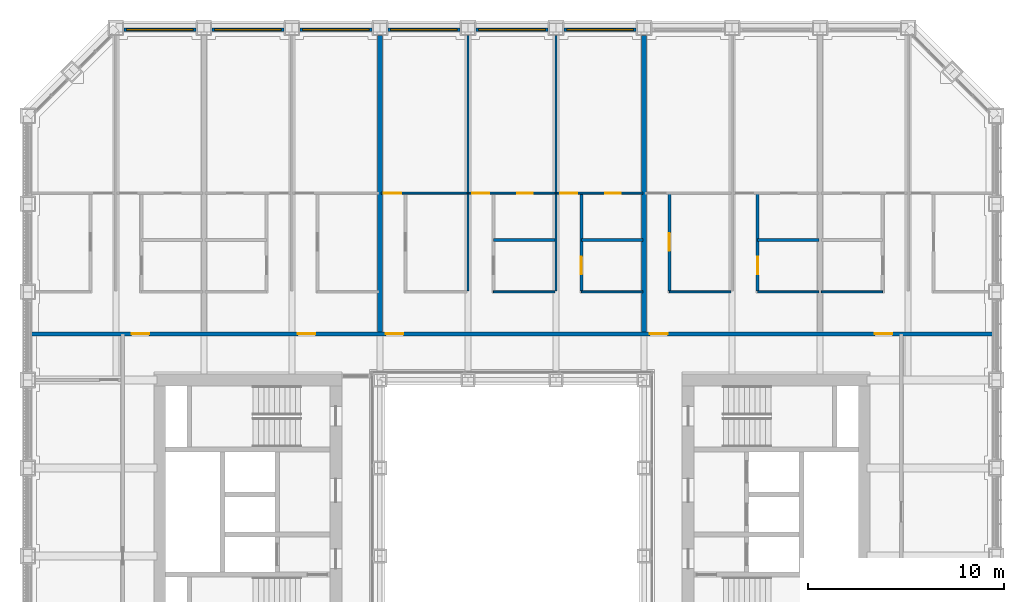
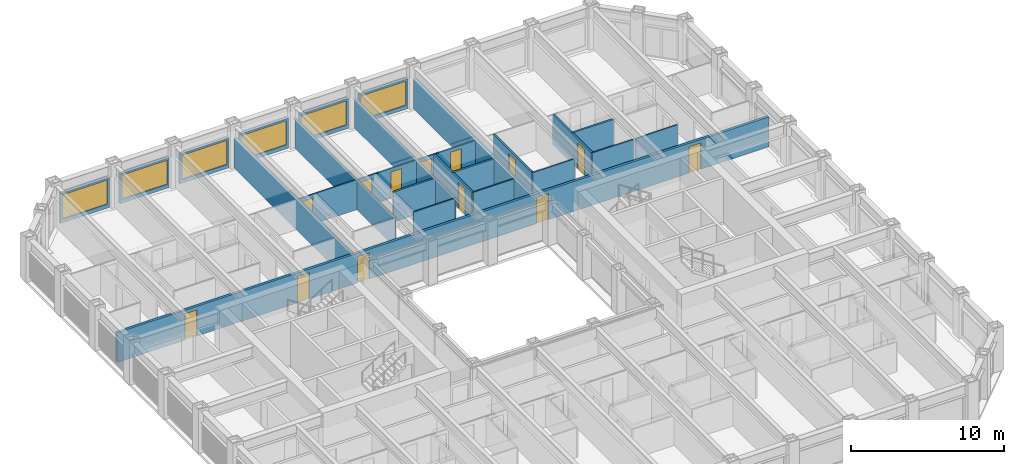
# One storey, part 14 of 21: 25 walls, 13 doors, 6 windows, 19 openings.
"""IFC4 building model written with IfcOpenShell, lengths in metres."""

from ifc_helpers import new_model, si_unit, direction, frame, frame_2d, origin, place, context, subcontext, project, spatial, rectangle, extrude, material, layer, layer_set, type_object, element, fill, save


model = new_model("IFC4")

# Units and contexts
model_context = context("Model", 3, precision=1e-05, world=origin(), true_north=direction((0.0, 1.0)))
body_context = subcontext(model_context, "Body", "Model", "MODEL_VIEW")
ifc_project = project(units=[si_unit("LENGTHUNIT", "METRE"), si_unit("AREAUNIT", "SQUARE_METRE"), si_unit("VOLUMEUNIT", "CUBIC_METRE"), si_unit("PLANEANGLEUNIT", "RADIAN"), si_unit("MASSUNIT", "GRAM", prefix="KILO")], contexts=[model_context])

# Site, building, storey
site_placement = place(None, origin())
site = spatial("IfcSite", under=ifc_project, at=site_placement, CompositionType="ELEMENT")
building_placement = place(site_placement, origin())
building = spatial("IfcBuilding", under=site, at=building_placement, Name="Msasa Ring Tower", CompositionType="ELEMENT")
storey_placement = place(building_placement, frame((0.0, 0.0, 54.5)))
storey = spatial("IfcBuildingStorey", under=building, at=storey_placement, Name="L13", CompositionType="ELEMENT", Elevation=54.5)

# Wall, opening, window
ifc_material_1 = material(Name="Terracotta rainscreen on blockwork", Category="masonry")
ifc_layer_1 = layer(ifc_material_1, 0.199951171875)
ifc_layer_set_1 = layer_set([ifc_layer_1], Name="FW1 TERRACOTTA-LINED INFILL BAY WALL 200")
wall_type_1 = type_object("IfcWallType", Name="FW1 TERRACOTTA-LINED INFILL BAY WALL 200", PredefinedType="SOLIDWALL", material=ifc_layer_set_1)
wall_1_placement = place(storey_placement, frame((-19.844970703125, 24.64990234375, 0.0), z_axis=(0.0, 0.0, 1.0), x_axis=(1.0, 0.0, 0.0)))
wall_1 = element("IfcWall", 1, at=wall_1_placement, inside=storey, type_object=wall_type_1, Name="Infill bay wall N L13 22", PredefinedType="SOLIDWALL", context=body_context, shape_type="SweptSolid", body=[
    extrude(rectangle(XDim=3.68994140625, YDim=0.199951171875, at=frame_2d((1.844970703125, 0.0))), origin(), (0.0, 0.0, 1.0), 2.37890625),
])
opening_1_placement = place(wall_1_placement, frame((0.14501953125, 0.0, 0.300048828125)))
opening_1 = element("IfcOpeningElement", 2, at=opening_1_placement, cuts=wall_1, Name="Opening WN1", PredefinedType="OPENING", context=body_context, shape_type="SweptSolid", body=[
    extrude(rectangle(XDim=3.39990234375, YDim=1.928955078125, at=frame_2d((1.699951171875, 0.96435546875))), frame((0.0, 0.10986328125, 0.0), z_axis=(0.0, -1.0, 0.0), x_axis=(1.0, 0.0, 0.0)), (0.0, 0.0, 1.0), 0.219970703125),
])
ifc_material_2 = material(Name="Aluminium frame with clear glass", Category="aluminium")
window_type = type_object("IfcWindowType", Name="WN1 RESIDENCE WINDOW 3400x1929", PartitioningType="SINGLE_PANEL", PredefinedType="WINDOW", material=ifc_material_2)
window_1_placement = place(opening_1_placement, origin())
window_1 = element("IfcWindow", 3, at=window_1_placement, inside=storey, type_object=window_type, Name="Window N L13 22", OverallHeight=1.928955078125, OverallWidth=3.39990234375, PartitioningType="SINGLE_PANEL", PredefinedType="WINDOW", context=body_context, shape_type="SweptSolid", body=[
    extrude(rectangle(XDim=3.39990234375, YDim=1.928955078125, at=frame_2d((1.699951171875, 0.96435546875))), frame((0.0, 0.030029296875, 0.0), z_axis=(0.0, -1.0, 0.0), x_axis=(1.0, 0.0, 0.0)), (0.0, 0.0, 1.0), 0.06005859375),
])
fill(opening_1, window_1)

wall_2_placement = place(storey_placement, frame((-15.344970703125, 24.64990234375, 0.0), z_axis=(0.0, 0.0, 1.0), x_axis=(1.0, 0.0, 0.0)))
wall_2 = element("IfcWall", 4, at=wall_2_placement, inside=storey, type_object=wall_type_1, Name="Infill bay wall N L13 23", PredefinedType="SOLIDWALL", context=body_context, shape_type="SweptSolid", body=[
    extrude(rectangle(XDim=3.68994140625, YDim=0.199951171875, at=frame_2d((1.844970703125, 0.0))), origin(), (0.0, 0.0, 1.0), 2.37890625),
])
opening_2_placement = place(wall_2_placement, frame((0.14501953125, 0.0, 0.300048828125)))
opening_2 = element("IfcOpeningElement", 5, at=opening_2_placement, cuts=wall_2, Name="Opening WN1", PredefinedType="OPENING", context=body_context, shape_type="SweptSolid", body=[
    extrude(rectangle(XDim=3.39990234375, YDim=1.928955078125, at=frame_2d((1.699951171875, 0.96435546875))), frame((0.0, 0.10986328125, 0.0), z_axis=(0.0, -1.0, 0.0), x_axis=(1.0, 0.0, 0.0)), (0.0, 0.0, 1.0), 0.219970703125),
])
window_2_placement = place(opening_2_placement, origin())
window_2 = element("IfcWindow", 6, at=window_2_placement, inside=storey, type_object=window_type, Name="Window N L13 23", OverallHeight=1.928955078125, OverallWidth=3.39990234375, PartitioningType="SINGLE_PANEL", PredefinedType="WINDOW", context=body_context, shape_type="SweptSolid", body=[
    extrude(rectangle(XDim=3.39990234375, YDim=1.928955078125, at=frame_2d((1.699951171875, 0.96435546875))), frame((0.0, 0.030029296875, 0.0), z_axis=(0.0, -1.0, 0.0), x_axis=(1.0, 0.0, 0.0)), (0.0, 0.0, 1.0), 0.06005859375),
])
fill(opening_2, window_2)

wall_3_placement = place(storey_placement, frame((-10.844970703125, 24.64990234375, 0.0), z_axis=(0.0, 0.0, 1.0), x_axis=(1.0, 0.0, 0.0)))
wall_3 = element("IfcWall", 7, at=wall_3_placement, inside=storey, type_object=wall_type_1, Name="Infill bay wall N L13 24", PredefinedType="SOLIDWALL", context=body_context, shape_type="SweptSolid", body=[
    extrude(rectangle(XDim=3.68994140625, YDim=0.199951171875, at=frame_2d((1.844970703125, 0.0))), origin(), (0.0, 0.0, 1.0), 2.37890625),
])
opening_3_placement = place(wall_3_placement, frame((0.14501953125, 0.0, 0.300048828125)))
opening_3 = element("IfcOpeningElement", 8, at=opening_3_placement, cuts=wall_3, Name="Opening WN1", PredefinedType="OPENING", context=body_context, shape_type="SweptSolid", body=[
    extrude(rectangle(XDim=3.39990234375, YDim=1.928955078125, at=frame_2d((1.699951171875, 0.96435546875))), frame((0.0, 0.10986328125, 0.0), z_axis=(0.0, -1.0, 0.0), x_axis=(1.0, 0.0, 0.0)), (0.0, 0.0, 1.0), 0.219970703125),
])
window_3_placement = place(opening_3_placement, origin())
window_3 = element("IfcWindow", 9, at=window_3_placement, inside=storey, type_object=window_type, Name="Window N L13 24", OverallHeight=1.928955078125, OverallWidth=3.39990234375, PartitioningType="SINGLE_PANEL", PredefinedType="WINDOW", context=body_context, shape_type="SweptSolid", body=[
    extrude(rectangle(XDim=3.39990234375, YDim=1.928955078125, at=frame_2d((1.699951171875, 0.96435546875))), frame((0.0, 0.030029296875, 0.0), z_axis=(0.0, -1.0, 0.0), x_axis=(1.0, 0.0, 0.0)), (0.0, 0.0, 1.0), 0.06005859375),
])
fill(opening_3, window_3)

wall_4_placement = place(storey_placement, frame((-6.344970703125, 24.64990234375, 0.0), z_axis=(0.0, 0.0, 1.0), x_axis=(1.0, 0.0, 0.0)))
wall_4 = element("IfcWall", 10, at=wall_4_placement, inside=storey, type_object=wall_type_1, Name="Infill bay wall N L13 25", PredefinedType="SOLIDWALL", context=body_context, shape_type="SweptSolid", body=[
    extrude(rectangle(XDim=3.68994140625, YDim=0.199951171875, at=frame_2d((1.844970703125, 0.0))), origin(), (0.0, 0.0, 1.0), 2.37890625),
])
opening_4_placement = place(wall_4_placement, frame((0.14501953125, 0.0, 0.300048828125)))
opening_4 = element("IfcOpeningElement", 11, at=opening_4_placement, cuts=wall_4, Name="Opening WN1", PredefinedType="OPENING", context=body_context, shape_type="SweptSolid", body=[
    extrude(rectangle(XDim=3.39990234375, YDim=1.928955078125, at=frame_2d((1.699951171875, 0.96435546875))), frame((0.0, 0.10986328125, 0.0), z_axis=(0.0, -1.0, 0.0), x_axis=(1.0, 0.0, 0.0)), (0.0, 0.0, 1.0), 0.219970703125),
])
window_4_placement = place(opening_4_placement, origin())
window_4 = element("IfcWindow", 12, at=window_4_placement, inside=storey, type_object=window_type, Name="Window N L13 25", OverallHeight=1.928955078125, OverallWidth=3.39990234375, PartitioningType="SINGLE_PANEL", PredefinedType="WINDOW", context=body_context, shape_type="SweptSolid", body=[
    extrude(rectangle(XDim=3.39990234375, YDim=1.928955078125, at=frame_2d((1.699951171875, 0.96435546875))), frame((0.0, 0.030029296875, 0.0), z_axis=(0.0, -1.0, 0.0), x_axis=(1.0, 0.0, 0.0)), (0.0, 0.0, 1.0), 0.06005859375),
])
fill(opening_4, window_4)

wall_5_placement = place(storey_placement, frame((-1.844970703125, 24.64990234375, 0.0), z_axis=(0.0, 0.0, 1.0), x_axis=(1.0, 0.0, 0.0)))
wall_5 = element("IfcWall", 13, at=wall_5_placement, inside=storey, type_object=wall_type_1, Name="Infill bay wall N L13 26", PredefinedType="SOLIDWALL", context=body_context, shape_type="SweptSolid", body=[
    extrude(rectangle(XDim=3.68994140625, YDim=0.199951171875, at=frame_2d((1.844970703125, 0.0))), origin(), (0.0, 0.0, 1.0), 2.37890625),
])
opening_5_placement = place(wall_5_placement, frame((0.14501953125, 0.0, 0.300048828125)))
opening_5 = element("IfcOpeningElement", 14, at=opening_5_placement, cuts=wall_5, Name="Opening WN1", PredefinedType="OPENING", context=body_context, shape_type="SweptSolid", body=[
    extrude(rectangle(XDim=3.39990234375, YDim=1.928955078125, at=frame_2d((1.699951171875, 0.96435546875))), frame((0.0, 0.10986328125, 0.0), z_axis=(0.0, -1.0, 0.0), x_axis=(1.0, 0.0, 0.0)), (0.0, 0.0, 1.0), 0.219970703125),
])
window_5_placement = place(opening_5_placement, origin())
window_5 = element("IfcWindow", 15, at=window_5_placement, inside=storey, type_object=window_type, Name="Window N L13 26", OverallHeight=1.928955078125, OverallWidth=3.39990234375, PartitioningType="SINGLE_PANEL", PredefinedType="WINDOW", context=body_context, shape_type="SweptSolid", body=[
    extrude(rectangle(XDim=3.39990234375, YDim=1.928955078125, at=frame_2d((1.699951171875, 0.96435546875))), frame((0.0, 0.030029296875, 0.0), z_axis=(0.0, -1.0, 0.0), x_axis=(1.0, 0.0, 0.0)), (0.0, 0.0, 1.0), 0.06005859375),
])
fill(opening_5, window_5)

wall_6_placement = place(storey_placement, frame((2.655029296875, 24.64990234375, 0.0), z_axis=(0.0, 0.0, 1.0), x_axis=(1.0, 0.0, 0.0)))
wall_6 = element("IfcWall", 16, at=wall_6_placement, inside=storey, type_object=wall_type_1, Name="Infill bay wall N L13 27", PredefinedType="SOLIDWALL", context=body_context, shape_type="SweptSolid", body=[
    extrude(rectangle(XDim=3.68994140625, YDim=0.199951171875, at=frame_2d((1.844970703125, 0.0))), origin(), (0.0, 0.0, 1.0), 2.37890625),
])
opening_6_placement = place(wall_6_placement, frame((0.14501953125, 0.0, 0.300048828125)))
opening_6 = element("IfcOpeningElement", 17, at=opening_6_placement, cuts=wall_6, Name="Opening WN1", PredefinedType="OPENING", context=body_context, shape_type="SweptSolid", body=[
    extrude(rectangle(XDim=3.39990234375, YDim=1.928955078125, at=frame_2d((1.699951171875, 0.96435546875))), frame((0.0, 0.10986328125, 0.0), z_axis=(0.0, -1.0, 0.0), x_axis=(1.0, 0.0, 0.0)), (0.0, 0.0, 1.0), 0.219970703125),
])
window_6_placement = place(opening_6_placement, origin())
window_6 = element("IfcWindow", 18, at=window_6_placement, inside=storey, type_object=window_type, Name="Window N L13 27", OverallHeight=1.928955078125, OverallWidth=3.39990234375, PartitioningType="SINGLE_PANEL", PredefinedType="WINDOW", context=body_context, shape_type="SweptSolid", body=[
    extrude(rectangle(XDim=3.39990234375, YDim=1.928955078125, at=frame_2d((1.699951171875, 0.96435546875))), frame((0.0, 0.030029296875, 0.0), z_axis=(0.0, -1.0, 0.0), x_axis=(1.0, 0.0, 0.0)), (0.0, 0.0, 1.0), 0.06005859375),
])
fill(opening_6, window_6)

# Wall, openings, doors
ifc_material_3 = material(Name="Concrete blockwork", Category="masonry")
ifc_layer_2 = layer(ifc_material_3, 0.199951171875)
ifc_layer_set_2 = layer_set([ifc_layer_2], Name="PT1 CORRIDOR WALL 200")
wall_type_2 = type_object("IfcWallType", Name="PT1 CORRIDOR WALL 200", PredefinedType="PARTITIONING", material=ifc_layer_set_2)
wall_7_placement = place(storey_placement, frame((-24.550048828125, 9.10009765625, 0.0), z_axis=(0.0, 0.0, 1.0), x_axis=(1.0, 0.0, 0.0)))
wall_7 = element("IfcWall", 19, at=wall_7_placement, inside=storey, type_object=wall_type_2, Name="Corridor wall L13-CORRN0", PredefinedType="PARTITIONING", context=body_context, shape_type="SweptSolid", body=[
    extrude(rectangle(XDim=49.10009765625, YDim=0.199951171875, at=frame_2d((24.550048828125, 0.0))), origin(), (0.0, 0.0, 1.0), 2.373291015625),
])
opening_7_placement = place(wall_7_placement, frame((5.10009765625, 0.0, 0.0)))
opening_7 = element("IfcOpeningElement", 20, at=opening_7_placement, cuts=wall_7, Name="Opening RC-029", PredefinedType="OPENING", context=body_context, shape_type="SweptSolid", body=[
    extrude(rectangle(XDim=0.89990234375, YDim=2.10009765625, at=frame_2d((0.449951171875, 1.050048828125))), frame((0.0, 0.10986328125, 0.0), z_axis=(0.0, -1.0, 0.0), x_axis=(1.0, 0.0, 0.0)), (0.0, 0.0, 1.0), 0.219970703125),
])
opening_8_placement = place(wall_7_placement, frame((13.60009765625, 0.0, 0.0)))
opening_8 = element("IfcOpeningElement", 21, at=opening_8_placement, cuts=wall_7, Name="Opening RC-030", PredefinedType="OPENING", context=body_context, shape_type="SweptSolid", body=[
    extrude(rectangle(XDim=0.89990234375, YDim=2.10009765625, at=frame_2d((0.449951171875, 1.050048828125))), frame((0.0, 0.10986328125, 0.0), z_axis=(0.0, -1.0, 0.0), x_axis=(1.0, 0.0, 0.0)), (0.0, 0.0, 1.0), 0.219970703125),
])
opening_9_placement = place(wall_7_placement, frame((18.10009765625, 0.0, 0.0)))
opening_9 = element("IfcOpeningElement", 22, at=opening_9_placement, cuts=wall_7, Name="Opening RC-031", PredefinedType="OPENING", context=body_context, shape_type="SweptSolid", body=[
    extrude(rectangle(XDim=0.89990234375, YDim=2.10009765625, at=frame_2d((0.449951171875, 1.050048828125))), frame((0.0, 0.10986328125, 0.0), z_axis=(0.0, -1.0, 0.0), x_axis=(1.0, 0.0, 0.0)), (0.0, 0.0, 1.0), 0.219970703125),
])
opening_10_placement = place(wall_7_placement, frame((31.60009765625, 0.0, 0.0)))
opening_10 = element("IfcOpeningElement", 23, at=opening_10_placement, cuts=wall_7, Name="Opening RC-032", PredefinedType="OPENING", context=body_context, shape_type="SweptSolid", body=[
    extrude(rectangle(XDim=0.89990234375, YDim=2.10009765625, at=frame_2d((0.449951171875, 1.050048828125))), frame((0.0, 0.10986328125, 0.0), z_axis=(0.0, -1.0, 0.0), x_axis=(1.0, 0.0, 0.0)), (0.0, 0.0, 1.0), 0.219970703125),
])
opening_11_placement = place(wall_7_placement, frame((43.10009765625, 0.0, 0.0)))
opening_11 = element("IfcOpeningElement", 24, at=opening_11_placement, cuts=wall_7, Name="Opening RC-033", PredefinedType="OPENING", context=body_context, shape_type="SweptSolid", body=[
    extrude(rectangle(XDim=0.89990234375, YDim=2.10009765625, at=frame_2d((0.449951171875, 1.050048828125))), frame((0.0, 0.10986328125, 0.0), z_axis=(0.0, -1.0, 0.0), x_axis=(1.0, 0.0, 0.0)), (0.0, 0.0, 1.0), 0.219970703125),
])
ifc_material_4 = material(Name="Timber door leaf in a steel frame", Category="steel")
door_type_1 = type_object("IfcDoorType", Name="D2 ENTRANCE DOOR 900x2100", OperationType="SINGLE_SWING_LEFT", PredefinedType="DOOR", material=ifc_material_4)
door_1_placement = place(opening_7_placement, origin())
door_1 = element("IfcDoor", 25, at=door_1_placement, inside=storey, type_object=door_type_1, Name="Door L13-UN00", OperationType="SINGLE_SWING_LEFT", OverallHeight=2.10009765625, OverallWidth=0.89990234375, PredefinedType="DOOR", context=body_context, shape_type="SweptSolid", body=[
    extrude(rectangle(XDim=0.89990234375, YDim=2.10009765625, at=frame_2d((0.449951171875, 1.050048828125))), frame((0.0, 0.02490234375, 0.0), z_axis=(0.0, -1.0, 0.0), x_axis=(1.0, 0.0, 0.0)), (0.0, 0.0, 1.0), 0.050048828125),
])
fill(opening_7, door_1)
door_2_placement = place(opening_8_placement, origin())
door_2 = element("IfcDoor", 26, at=door_2_placement, inside=storey, type_object=door_type_1, Name="Door L13-UN01", OperationType="SINGLE_SWING_LEFT", OverallHeight=2.10009765625, OverallWidth=0.89990234375, PredefinedType="DOOR", context=body_context, shape_type="SweptSolid", body=[
    extrude(rectangle(XDim=0.89990234375, YDim=2.10009765625, at=frame_2d((0.449951171875, 1.050048828125))), frame((0.0, 0.02490234375, 0.0), z_axis=(0.0, -1.0, 0.0), x_axis=(1.0, 0.0, 0.0)), (0.0, 0.0, 1.0), 0.050048828125),
])
fill(opening_8, door_2)
door_3_placement = place(opening_9_placement, origin())
door_3 = element("IfcDoor", 27, at=door_3_placement, inside=storey, type_object=door_type_1, Name="Door L13-UN02", OperationType="SINGLE_SWING_LEFT", OverallHeight=2.10009765625, OverallWidth=0.89990234375, PredefinedType="DOOR", context=body_context, shape_type="SweptSolid", body=[
    extrude(rectangle(XDim=0.89990234375, YDim=2.10009765625, at=frame_2d((0.449951171875, 1.050048828125))), frame((0.0, 0.02490234375, 0.0), z_axis=(0.0, -1.0, 0.0), x_axis=(1.0, 0.0, 0.0)), (0.0, 0.0, 1.0), 0.050048828125),
])
fill(opening_9, door_3)
door_4_placement = place(opening_10_placement, origin())
door_4 = element("IfcDoor", 28, at=door_4_placement, inside=storey, type_object=door_type_1, Name="Door L13-UN03", OperationType="SINGLE_SWING_RIGHT", OverallHeight=2.10009765625, OverallWidth=0.89990234375, PredefinedType="DOOR", context=body_context, shape_type="SweptSolid", body=[
    extrude(rectangle(XDim=0.89990234375, YDim=2.10009765625, at=frame_2d((0.449951171875, 1.050048828125))), frame((0.0, 0.02490234375, 0.0), z_axis=(0.0, -1.0, 0.0), x_axis=(1.0, 0.0, 0.0)), (0.0, 0.0, 1.0), 0.050048828125),
])
fill(opening_10, door_4)
door_5_placement = place(opening_11_placement, origin())
door_5 = element("IfcDoor", 29, at=door_5_placement, inside=storey, type_object=door_type_1, Name="Door L13-UN04", OperationType="SINGLE_SWING_RIGHT", OverallHeight=2.10009765625, OverallWidth=0.89990234375, PredefinedType="DOOR", context=body_context, shape_type="SweptSolid", body=[
    extrude(rectangle(XDim=0.89990234375, YDim=2.10009765625, at=frame_2d((0.449951171875, 1.050048828125))), frame((0.0, 0.02490234375, 0.0), z_axis=(0.0, -1.0, 0.0), x_axis=(1.0, 0.0, 0.0)), (0.0, 0.0, 1.0), 0.050048828125),
])
fill(opening_11, door_5)

# Wall, opening, door
ifc_material_5 = material(Name="Gypsum board on steel studs", Category="steel")
ifc_layer_3 = layer(ifc_material_5, 0.10009765625)
ifc_layer_set_3 = layer_set([ifc_layer_3], Name="PT2 STUD PARTITION 100")
wall_type_3 = type_object("IfcWallType", Name="PT2 STUD PARTITION 100", PredefinedType="PARTITIONING", material=ifc_layer_set_3)
wall_8_placement = place(storey_placement, frame((-6.68994140625, 16.300048828125, 0.0), z_axis=(0.0, 0.0, 1.0), x_axis=(1.0, 0.0, 0.0)))
wall_8 = element("IfcWall", 30, at=wall_8_placement, inside=storey, type_object=wall_type_3, Name="Partition L13-UN02SY0", PredefinedType="PARTITIONING", context=body_context, shape_type="SweptSolid", body=[
    extrude(rectangle(XDim=4.389892578125, YDim=0.10009765625, at=frame_2d((2.19482421875, 0.0))), origin(), (0.0, 0.0, 1.0), 2.373291015625),
])
opening_12_placement = place(wall_8_placement, frame((0.139892578125, 0.0, 0.0)))
opening_12 = element("IfcOpeningElement", 31, at=opening_12_placement, cuts=wall_8, Name="Opening RC-007", PredefinedType="OPENING", context=body_context, shape_type="SweptSolid", body=[
    extrude(rectangle(XDim=0.89990234375, YDim=2.10009765625, at=frame_2d((0.449951171875, 1.050048828125))), frame((0.0, 0.06005859375, 0.0), z_axis=(0.0, -1.0, 0.0), x_axis=(1.0, 0.0, 0.0)), (0.0, 0.0, 1.0), 0.1201171875),
])
ifc_material_6 = material(Name="Timber door leaf in a steel frame", Category="steel")
door_type_2 = type_object("IfcDoorType", Name="D22 INTERNAL HALL DOOR 900x2100", OperationType="SINGLE_SWING_LEFT", PredefinedType="DOOR", material=ifc_material_6)
door_6_placement = place(opening_12_placement, origin())
door_6 = element("IfcDoor", 32, at=door_6_placement, inside=storey, type_object=door_type_2, Name="Door L13-UN02L", OperationType="SINGLE_SWING_LEFT", OverallHeight=2.10009765625, OverallWidth=0.89990234375, PredefinedType="DOOR", context=body_context, shape_type="SweptSolid", body=[
    extrude(rectangle(XDim=0.89990234375, YDim=2.10009765625, at=frame_2d((0.449951171875, 1.050048828125))), frame((0.0, 0.02490234375, 0.0), z_axis=(0.0, -1.0, 0.0), x_axis=(1.0, 0.0, 0.0)), (0.0, 0.0, 1.0), 0.050048828125),
])
fill(opening_12, door_6)

# Walls
wall_9_placement = place(storey_placement, frame((-2.25, 11.300048828125, 0.0), z_axis=(0.0, 0.0, 1.0), x_axis=(0.0, 1.0, 0.0)))
element("IfcWall", 33, at=wall_9_placement, inside=storey, type_object=wall_type_3, Name="Partition L13-UN02P1", PredefinedType="PARTITIONING", context=body_context, shape_type="SweptSolid", body=[
    extrude(rectangle(XDim=13.050048828125, YDim=0.10009765625, at=frame_2d((6.52490234375, 0.0))), origin(), (0.0, 0.0, 1.0), 2.373291015625),
])
wall_10_placement = place(storey_placement, frame((-0.949951171875, 11.25, 0.0), z_axis=(0.0, 0.0, 1.0), x_axis=(1.0, 0.0, 0.0)))
element("IfcWall", 34, at=wall_10_placement, inside=storey, type_object=wall_type_3, Name="Partition L13-UN02HY1", PredefinedType="PARTITIONING", context=body_context, shape_type="SweptSolid", body=[
    extrude(rectangle(XDim=3.139892578125, YDim=0.10009765625, at=frame_2d((1.56982421875, 0.0))), origin(), (0.0, 0.0, 1.0), 2.373291015625),
])

# Wall, openings, doors
wall_11_placement = place(storey_placement, frame((-2.199951171875, 16.300048828125, 0.0), z_axis=(0.0, 0.0, 1.0), x_axis=(1.0, 0.0, 0.0)))
wall_11 = element("IfcWall", 35, at=wall_11_placement, inside=storey, type_object=wall_type_3, Name="Partition L13-UN02SY1", PredefinedType="PARTITIONING", context=body_context, shape_type="SweptSolid", body=[
    extrude(rectangle(XDim=4.39990234375, YDim=0.10009765625, at=frame_2d((2.199951171875, 0.0))), origin(), (0.0, 0.0, 1.0), 2.373291015625),
])
opening_13_placement = place(wall_11_placement, frame((0.175048828125, 0.0, 0.0)))
opening_13 = element("IfcOpeningElement", 36, at=opening_13_placement, cuts=wall_11, Name="Opening RC-008", PredefinedType="OPENING", context=body_context, shape_type="SweptSolid", body=[
    extrude(rectangle(XDim=0.85009765625, YDim=2.10009765625, at=frame_2d((0.425048828125, 1.050048828125))), frame((0.0, 0.06005859375, 0.0), z_axis=(0.0, -1.0, 0.0), x_axis=(1.0, 0.0, 0.0)), (0.0, 0.0, 1.0), 0.1201171875),
])
opening_14_placement = place(wall_11_placement, frame((2.4599609375, 0.0, 0.0)))
opening_14 = element("IfcOpeningElement", 37, at=opening_14_placement, cuts=wall_11, Name="Opening RC-009", PredefinedType="OPENING", context=body_context, shape_type="SweptSolid", body=[
    extrude(rectangle(XDim=0.800048828125, YDim=2.10009765625, at=frame_2d((0.39990234375, 1.050048828125))), frame((0.0, 0.06005859375, 0.0), z_axis=(0.0, -1.0, 0.0), x_axis=(1.0, 0.0, 0.0)), (0.0, 0.0, 1.0), 0.1201171875),
])
ifc_material_7 = material(Name="Timber door leaf in a steel frame", Category="steel")
door_type_3 = type_object("IfcDoorType", Name="D14 BEDROOM DOOR 850x2100", OperationType="SINGLE_SWING_LEFT", PredefinedType="DOOR", material=ifc_material_7)
door_7_placement = place(opening_13_placement, origin())
door_7 = element("IfcDoor", 38, at=door_7_placement, inside=storey, type_object=door_type_3, Name="Door L13-UN02R1", OperationType="SINGLE_SWING_LEFT", OverallHeight=2.10009765625, OverallWidth=0.85009765625, PredefinedType="DOOR", context=body_context, shape_type="SweptSolid", body=[
    extrude(rectangle(XDim=0.85009765625, YDim=2.10009765625, at=frame_2d((0.425048828125, 1.050048828125))), frame((0.0, 0.02490234375, 0.0), z_axis=(0.0, -1.0, 0.0), x_axis=(1.0, 0.0, 0.0)), (0.0, 0.0, 1.0), 0.050048828125),
])
fill(opening_13, door_7)
ifc_material_8 = material(Name="Timber door leaf in a steel frame", Category="steel")
door_type_4 = type_object("IfcDoorType", Name="D60 DRESSING ROOM DOOR 800x2100", OperationType="SINGLE_SWING_LEFT", PredefinedType="DOOR", material=ifc_material_8)
door_8_placement = place(opening_14_placement, origin())
door_8 = element("IfcDoor", 39, at=door_8_placement, inside=storey, type_object=door_type_4, Name="Door L13-UN02W1", OperationType="SINGLE_SWING_RIGHT", OverallHeight=2.10009765625, OverallWidth=0.800048828125, PredefinedType="DOOR", context=body_context, shape_type="SweptSolid", body=[
    extrude(rectangle(XDim=0.800048828125, YDim=2.10009765625, at=frame_2d((0.39990234375, 1.050048828125))), frame((0.0, 0.02490234375, 0.0), z_axis=(0.0, -1.0, 0.0), x_axis=(1.0, 0.0, 0.0)), (0.0, 0.0, 1.0), 0.050048828125),
])
fill(opening_14, door_8)

# Walls
wall_12_placement = place(storey_placement, frame((2.25, 11.300048828125, 0.0), z_axis=(0.0, 0.0, 1.0), x_axis=(0.0, 1.0, 0.0)))
element("IfcWall", 40, at=wall_12_placement, inside=storey, type_object=wall_type_3, Name="Partition L13-UN02P2", PredefinedType="PARTITIONING", context=body_context, shape_type="SweptSolid", body=[
    extrude(rectangle(XDim=13.050048828125, YDim=0.10009765625, at=frame_2d((6.52490234375, 0.0))), origin(), (0.0, 0.0, 1.0), 2.373291015625),
])
wall_13_placement = place(storey_placement, frame((3.550048828125, 11.25, 0.0), z_axis=(0.0, 0.0, 1.0), x_axis=(1.0, 0.0, 0.0)))
element("IfcWall", 41, at=wall_13_placement, inside=storey, type_object=wall_type_3, Name="Partition L13-UN02HY2", PredefinedType="PARTITIONING", context=body_context, shape_type="SweptSolid", body=[
    extrude(rectangle(XDim=3.139892578125, YDim=0.10009765625, at=frame_2d((1.56982421875, 0.0))), origin(), (0.0, 0.0, 1.0), 2.373291015625),
])

# Wall, openings, doors
wall_14_placement = place(storey_placement, frame((2.300048828125, 16.300048828125, 0.0), z_axis=(0.0, 0.0, 1.0), x_axis=(1.0, 0.0, 0.0)))
wall_14 = element("IfcWall", 42, at=wall_14_placement, inside=storey, type_object=wall_type_3, Name="Partition L13-UN02SY2", PredefinedType="PARTITIONING", context=body_context, shape_type="SweptSolid", body=[
    extrude(rectangle(XDim=4.389892578125, YDim=0.10009765625, at=frame_2d((2.19482421875, 0.0))), origin(), (0.0, 0.0, 1.0), 2.373291015625),
])
opening_15_placement = place(wall_14_placement, frame((0.175048828125, 0.0, 0.0)))
opening_15 = element("IfcOpeningElement", 43, at=opening_15_placement, cuts=wall_14, Name="Opening RC-010", PredefinedType="OPENING", context=body_context, shape_type="SweptSolid", body=[
    extrude(rectangle(XDim=0.85009765625, YDim=2.10009765625, at=frame_2d((0.425048828125, 1.050048828125))), frame((0.0, 0.06005859375, 0.0), z_axis=(0.0, -1.0, 0.0), x_axis=(1.0, 0.0, 0.0)), (0.0, 0.0, 1.0), 0.1201171875),
])
opening_16_placement = place(wall_14_placement, frame((2.4599609375, 0.0, 0.0)))
opening_16 = element("IfcOpeningElement", 44, at=opening_16_placement, cuts=wall_14, Name="Opening RC-011", PredefinedType="OPENING", context=body_context, shape_type="SweptSolid", body=[
    extrude(rectangle(XDim=0.800048828125, YDim=2.10009765625, at=frame_2d((0.39990234375, 1.050048828125))), frame((0.0, 0.06005859375, 0.0), z_axis=(0.0, -1.0, 0.0), x_axis=(1.0, 0.0, 0.0)), (0.0, 0.0, 1.0), 0.1201171875),
])
door_9_placement = place(opening_15_placement, origin())
door_9 = element("IfcDoor", 45, at=door_9_placement, inside=storey, type_object=door_type_3, Name="Door L13-UN02R2", OperationType="SINGLE_SWING_LEFT", OverallHeight=2.10009765625, OverallWidth=0.85009765625, PredefinedType="DOOR", context=body_context, shape_type="SweptSolid", body=[
    extrude(rectangle(XDim=0.85009765625, YDim=2.10009765625, at=frame_2d((0.425048828125, 1.050048828125))), frame((0.0, 0.02490234375, 0.0), z_axis=(0.0, -1.0, 0.0), x_axis=(1.0, 0.0, 0.0)), (0.0, 0.0, 1.0), 0.050048828125),
])
fill(opening_15, door_9)
door_10_placement = place(opening_16_placement, origin())
door_10 = element("IfcDoor", 46, at=door_10_placement, inside=storey, type_object=door_type_4, Name="Door L13-UN02W2", OperationType="SINGLE_SWING_RIGHT", OverallHeight=2.10009765625, OverallWidth=0.800048828125, PredefinedType="DOOR", context=body_context, shape_type="SweptSolid", body=[
    extrude(rectangle(XDim=0.800048828125, YDim=2.10009765625, at=frame_2d((0.39990234375, 1.050048828125))), frame((0.0, 0.02490234375, 0.0), z_axis=(0.0, -1.0, 0.0), x_axis=(1.0, 0.0, 0.0)), (0.0, 0.0, 1.0), 0.050048828125),
])
fill(opening_16, door_10)

# Walls
for number, where, z_axis, x_axis, name in (
    (47, (8.050048828125, 11.25, 0.0), (0.0, 0.0, 1.0), (1.0, 0.0, 0.0), "Partition L13-UN03HY0"),
    (48, (12.550048828125, 11.25, 0.0), (0.0, 0.0, 1.0), (1.0, 0.0, 0.0), "Partition L13-UN03HY1"),
    (49, (15.81005859375, 11.25, 0.0), (0.0, 0.0, 1.0), (1.0, 0.0, 0.0), "Partition L13-UN04HY1"),
):
    element("IfcWall", number, at=place(storey_placement, frame(where, z_axis=z_axis, x_axis=x_axis)), inside=storey, type_object=wall_type_3, Name=name, PredefinedType="PARTITIONING", context=body_context, shape_type="SweptSolid", body=[
        extrude(rectangle(XDim=3.139892578125, YDim=0.10009765625, at=frame_2d((1.56982421875, 0.0))), origin(), (0.0, 0.0, 1.0), 2.373291015625),
    ])
ifc_material_9 = material(Name="Dense concrete blockwork, plastered both faces", Category="masonry")
ifc_layer_4 = layer(ifc_material_9, 0.25)
ifc_layer_set_4 = layer_set([ifc_layer_4], Name="PT3 APARTMENT SEPARATING WALL 250")
wall_type_4 = type_object("IfcWallType", Name="PT3 APARTMENT SEPARATING WALL 250", PredefinedType="PARTITIONING", material=ifc_layer_set_4)
for number, where, z_axis, x_axis, name in (
    (50, (-6.75, 9.199951171875, 0.0), (0.0, 0.0, 1.0), (0.0, 1.0, 0.0), "Party wall L13-PWN-6.75"),
    (51, (6.75, 9.199951171875, 0.0), (0.0, 0.0, 1.0), (0.0, 1.0, 0.0), "Party wall L13-PWN+6.75"),
):
    element("IfcWall", number, at=place(storey_placement, frame(where, z_axis=z_axis, x_axis=x_axis)), inside=storey, type_object=wall_type_4, Name=name, PredefinedType="PARTITIONING", context=body_context, shape_type="SweptSolid", body=[
        extrude(rectangle(XDim=15.150146484375, YDim=0.25, at=frame_2d((7.5751953125, 0.0))), origin(), (0.0, 0.0, 1.0), 2.373291015625),
    ])
ifc_material_10 = material(Name="Moisture-resistant board on steel studs with a concealed cistern and pipe void, tiled", Category="steel")
ifc_layer_5 = layer(ifc_material_10, 0.14990234375)
ifc_layer_set_5 = layer_set([ifc_layer_5], Name="PT4 BATHROOM WET WALL 150")
wall_type_5 = type_object("IfcWallType", Name="PT4 BATHROOM WET WALL 150", PredefinedType="PARTITIONING", material=ifc_layer_set_5)
wall_15_placement = place(storey_placement, frame((-0.949951171875, 13.89990234375, 0.0), z_axis=(0.0, 0.0, 1.0), x_axis=(1.0, 0.0, 0.0)))
element("IfcWall", 52, at=wall_15_placement, inside=storey, type_object=wall_type_5, Name="Partition L13-UN02SB1", PredefinedType="PARTITIONING", context=body_context, shape_type="SweptSolid", body=[
    extrude(rectangle(XDim=3.14990234375, YDim=0.14990234375, at=frame_2d((1.574951171875, 0.0))), origin(), (0.0, 0.0, 1.0), 2.373291015625),
])

# Wall, opening, door
wall_16_placement = place(storey_placement, frame((3.550048828125, 11.300048828125, 0.0), z_axis=(0.0, 0.0, 1.0), x_axis=(0.0, 1.0, 0.0)))
wall_16 = element("IfcWall", 53, at=wall_16_placement, inside=storey, type_object=wall_type_5, Name="Partition L13-UN02SX2", PredefinedType="PARTITIONING", context=body_context, shape_type="SweptSolid", body=[
    extrude(rectangle(XDim=5.0, YDim=0.14990234375, at=frame_2d((2.5, 0.0))), origin(), (0.0, 0.0, 1.0), 2.373291015625),
])
opening_17_placement = place(wall_16_placement, frame((0.85009765625, 0.0, 0.0)))
opening_17 = element("IfcOpeningElement", 54, at=opening_17_placement, cuts=wall_16, Name="Opening RC-026", PredefinedType="OPENING", context=body_context, shape_type="SweptSolid", body=[
    extrude(rectangle(XDim=0.89990234375, YDim=2.10009765625, at=frame_2d((0.449951171875, 1.050048828125))), frame((0.0, 0.0849609375, 0.0), z_axis=(0.0, -1.0, 0.0), x_axis=(1.0, 0.0, 0.0)), (0.0, 0.0, 1.0), 0.169921875),
])
ifc_material_11 = material(Name="Timber door leaf in a steel frame", Category="steel")
door_type_5 = type_object("IfcDoorType", Name="D3 BATHROOM DOOR 900x2100", OperationType="SINGLE_SWING_LEFT", PredefinedType="DOOR", material=ifc_material_11)
door_11_placement = place(opening_17_placement, origin())
door_11 = element("IfcDoor", 55, at=door_11_placement, inside=storey, type_object=door_type_5, Name="Door L13-UN02B2", OperationType="SINGLE_SWING_LEFT", OverallHeight=2.10009765625, OverallWidth=0.89990234375, PredefinedType="DOOR", context=body_context, shape_type="SweptSolid", body=[
    extrude(rectangle(XDim=0.89990234375, YDim=2.10009765625, at=frame_2d((0.449951171875, 1.050048828125))), frame((0.0, 0.02490234375, 0.0), z_axis=(0.0, -1.0, 0.0), x_axis=(1.0, 0.0, 0.0)), (0.0, 0.0, 1.0), 0.050048828125),
])
fill(opening_17, door_11)

# Wall
wall_17_placement = place(storey_placement, frame((3.550048828125, 13.89990234375, 0.0), z_axis=(0.0, 0.0, 1.0), x_axis=(1.0, 0.0, 0.0)))
element("IfcWall", 56, at=wall_17_placement, inside=storey, type_object=wall_type_5, Name="Partition L13-UN02SB2", PredefinedType="PARTITIONING", context=body_context, shape_type="SweptSolid", body=[
    extrude(rectangle(XDim=3.139892578125, YDim=0.14990234375, at=frame_2d((1.56982421875, 0.0))), origin(), (0.0, 0.0, 1.0), 2.373291015625),
])

# Wall, opening, door
wall_18_placement = place(storey_placement, frame((8.050048828125, 11.300048828125, 0.0), z_axis=(0.0, 0.0, 1.0), x_axis=(0.0, 1.0, 0.0)))
wall_18 = element("IfcWall", 57, at=wall_18_placement, inside=storey, type_object=wall_type_5, Name="Partition L13-UN03SX0", PredefinedType="PARTITIONING", context=body_context, shape_type="SweptSolid", body=[
    extrude(rectangle(XDim=5.0, YDim=0.14990234375, at=frame_2d((2.5, 0.0))), origin(), (0.0, 0.0, 1.0), 2.373291015625),
])
opening_18_placement = place(wall_18_placement, frame((2.050048828125, 0.0, 0.0)))
opening_18 = element("IfcOpeningElement", 58, at=opening_18_placement, cuts=wall_18, Name="Opening RC-021", PredefinedType="OPENING", context=body_context, shape_type="SweptSolid", body=[
    extrude(rectangle(XDim=0.89990234375, YDim=2.10009765625, at=frame_2d((0.449951171875, 1.050048828125))), frame((0.0, 0.0849609375, 0.0), z_axis=(0.0, -1.0, 0.0), x_axis=(1.0, 0.0, 0.0)), (0.0, 0.0, 1.0), 0.169921875),
])
door_12_placement = place(opening_18_placement, origin())
door_12 = element("IfcDoor", 59, at=door_12_placement, inside=storey, type_object=door_type_2, Name="Door L13-UN03K", OperationType="SINGLE_SWING_LEFT", OverallHeight=2.10009765625, OverallWidth=0.89990234375, PredefinedType="DOOR", context=body_context, shape_type="SweptSolid", body=[
    extrude(rectangle(XDim=0.89990234375, YDim=2.10009765625, at=frame_2d((0.449951171875, 1.050048828125))), frame((0.0, 0.02490234375, 0.0), z_axis=(0.0, -1.0, 0.0), x_axis=(1.0, 0.0, 0.0)), (0.0, 0.0, 1.0), 0.050048828125),
])
fill(opening_18, door_12)

wall_19_placement = place(storey_placement, frame((12.550048828125, 11.300048828125, 0.0), z_axis=(0.0, 0.0, 1.0), x_axis=(0.0, 1.0, 0.0)))
wall_19 = element("IfcWall", 60, at=wall_19_placement, inside=storey, type_object=wall_type_5, Name="Partition L13-UN03SX1", PredefinedType="PARTITIONING", context=body_context, shape_type="SweptSolid", body=[
    extrude(rectangle(XDim=5.0, YDim=0.14990234375, at=frame_2d((2.5, 0.0))), origin(), (0.0, 0.0, 1.0), 2.373291015625),
])
opening_19_placement = place(wall_19_placement, frame((0.85009765625, 0.0, 0.0)))
opening_19 = element("IfcOpeningElement", 61, at=opening_19_placement, cuts=wall_19, Name="Opening RC-027", PredefinedType="OPENING", context=body_context, shape_type="SweptSolid", body=[
    extrude(rectangle(XDim=0.89990234375, YDim=2.10009765625, at=frame_2d((0.449951171875, 1.050048828125))), frame((0.0, 0.0849609375, 0.0), z_axis=(0.0, -1.0, 0.0), x_axis=(1.0, 0.0, 0.0)), (0.0, 0.0, 1.0), 0.169921875),
])
door_13_placement = place(opening_19_placement, origin())
door_13 = element("IfcDoor", 62, at=door_13_placement, inside=storey, type_object=door_type_5, Name="Door L13-UN03B1", OperationType="SINGLE_SWING_LEFT", OverallHeight=2.10009765625, OverallWidth=0.89990234375, PredefinedType="DOOR", context=body_context, shape_type="SweptSolid", body=[
    extrude(rectangle(XDim=0.89990234375, YDim=2.10009765625, at=frame_2d((0.449951171875, 1.050048828125))), frame((0.0, 0.02490234375, 0.0), z_axis=(0.0, -1.0, 0.0), x_axis=(1.0, 0.0, 0.0)), (0.0, 0.0, 1.0), 0.050048828125),
])
fill(opening_19, door_13)

# Wall
wall_20_placement = place(storey_placement, frame((12.550048828125, 13.89990234375, 0.0), z_axis=(0.0, 0.0, 1.0), x_axis=(1.0, 0.0, 0.0)))
element("IfcWall", 63, at=wall_20_placement, inside=storey, type_object=wall_type_5, Name="Partition L13-UN03SB1", PredefinedType="PARTITIONING", context=body_context, shape_type="SweptSolid", body=[
    extrude(rectangle(XDim=3.139892578125, YDim=0.14990234375, at=frame_2d((1.56982421875, 0.0))), origin(), (0.0, 0.0, 1.0), 2.373291015625),
])

save(model, "model.ifc")
